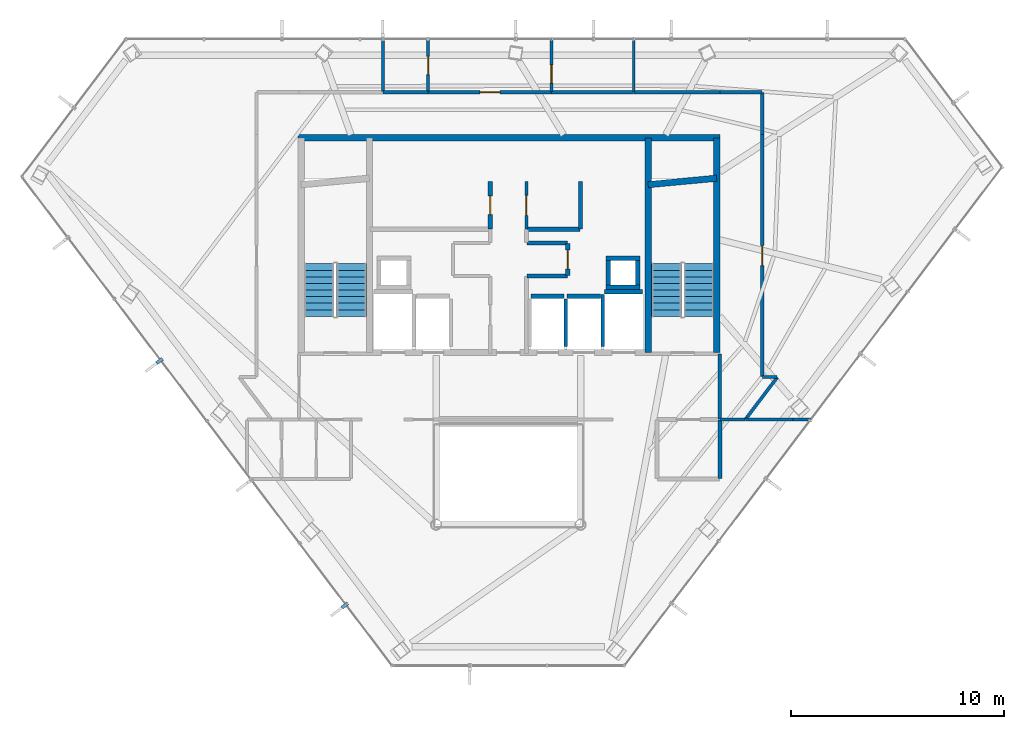
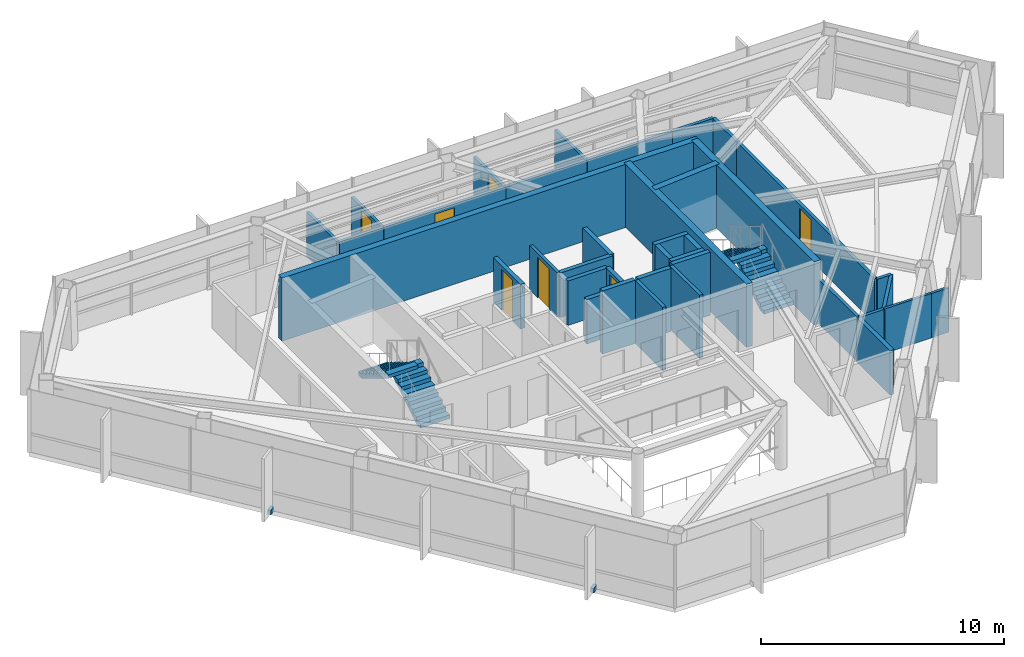
# One storey, part 23 of 25: 38 walls, 7 doors, 4 stair flights, 2 discrete accessories, 7 openings, 2 elements without a shape of their own.
"""IFC4 building model written with IfcOpenShell, lengths in metres."""

from ifc_helpers import new_model, si_unit, direction, frame, frame_2d, origin, origin_2d, place, context, subcontext, project, spatial, polyline, rectangle, outline, extrude, material, layer, layer_set, type_object, element, fill, aggregate, save


model = new_model("IFC4")

# Units and contexts
model_context = context("Model", 3, precision=1e-05, world=origin(), true_north=direction((0.0, 1.0)))
body_context = subcontext(model_context, "Body", "Model", "MODEL_VIEW")
ifc_project = project(units=[si_unit("LENGTHUNIT", "METRE"), si_unit("AREAUNIT", "SQUARE_METRE"), si_unit("VOLUMEUNIT", "CUBIC_METRE"), si_unit("PLANEANGLEUNIT", "RADIAN"), si_unit("MASSUNIT", "GRAM", prefix="KILO")], contexts=[model_context])

# Site, building, storey
site_placement = place(None, origin())
site = spatial("IfcSite", under=ifc_project, at=site_placement, CompositionType="ELEMENT")
building_placement = place(site_placement, origin())
building = spatial("IfcBuilding", under=site, at=building_placement, Name="Zarrinselat Tower", CompositionType="ELEMENT")
storey_placement = place(building_placement, frame((0.0, 0.0, 246.159912109375)))
storey = spatial("IfcBuildingStorey", under=building, at=storey_placement, Name="L62", CompositionType="ELEMENT", Elevation=246.159912109375)

# Wall
ifc_material_1 = material(Name="Concrete C40/50", Category="concrete")
ifc_layer_1 = layer(ifc_material_1, 0.18994140625)
ifc_layer_set_1 = layer_set([ifc_layer_1], Name="Concrete C40/50")
wall_type_1 = type_object("IfcWallType", Name="WAL-PART-EI120", PredefinedType="PARTITIONING", material=ifc_layer_set_1)
wall_1_placement = place(storey_placement, frame((48.35009765625, 27.3701171875, 0.0), z_axis=(0.0, 0.0, 1.0), x_axis=(0.0, 1.0, 0.0)))
element("IfcWall", 1, at=wall_1_placement, inside=storey, type_object=wall_type_1, Name="L62 Partition Wall 25", PredefinedType="PARTITIONING", context=body_context, shape_type="SweptSolid", body=[
    extrude(rectangle(XDim=2.759765625, YDim=0.18994140625, at=frame_2d((1.3798828125, 0.0))), origin(), (0.0, 0.0, 1.0), 2.235107421875),
])

# Wall, opening, door
ifc_material_2 = material(Name="Fire-Rated Gypsum Board Partition", Category="gypsum")
ifc_layer_2 = layer(ifc_material_2, 0.14990234375)
ifc_layer_set_2 = layer_set([ifc_layer_2], Name="Fire-Rated Gypsum Board Partition")
wall_type_2 = type_object("IfcWallType", Name="WAL-PART-EI60", PredefinedType="PARTITIONING", material=ifc_layer_set_2)
wall_2_placement = place(storey_placement, frame((39.25, 39.10498046875, 0.0), z_axis=(0.0, 0.0, 1.0), x_axis=(0.0, 1.0, 0.0)))
wall_2 = element("IfcWall", 2, at=wall_2_placement, inside=storey, type_object=wall_type_2, Name="L62 Partition Wall 12", PredefinedType="PARTITIONING", context=body_context, shape_type="SweptSolid", body=[
    extrude(rectangle(XDim=2.2451171875, YDim=0.14990234375, at=frame_2d((1.12255859375, 0.0))), origin(), (0.0, 0.0, 1.0), 2.235107421875),
])
opening_1_placement = place(wall_2_placement, frame((0.652587890625, 0.0, 0.0)))
opening_1 = element("IfcOpeningElement", 3, at=opening_1_placement, cuts=wall_2, Name="Opening ID-04", PredefinedType="OPENING", context=body_context, shape_type="SweptSolid", body=[
    extrude(rectangle(XDim=0.93994140625, YDim=2.050048828125, at=frame_2d((0.469970703125, 1.02490234375))), frame((0.0, 0.0849609375, 0.0), z_axis=(0.0, -1.0, 0.0), x_axis=(1.0, 0.0, 0.0)), (0.0, 0.0, 1.0), 0.169921875),
])
ifc_material_3 = material(Name="Fire-Rated Gypsum Board Partition")
door_type_1 = type_object("IfcDoorType", Name="DR-INT-FD30-ENT", OperationType="NOTDEFINED", PredefinedType="DOOR", material=ifc_material_3)
door_1_placement = place(opening_1_placement, origin())
door_1 = element("IfcDoor", 4, at=door_1_placement, inside=storey, type_object=door_type_1, Name="L62 Interior Door P12", OperationType="SINGLE_SWING_LEFT", OverallHeight=2.050048828125, OverallWidth=0.93994140625, PredefinedType="DOOR", context=body_context, shape_type="SweptSolid", body=[
    extrude(rectangle(XDim=0.93994140625, YDim=2.050048828125, at=frame_2d((0.469970703125, 1.02490234375))), frame((0.0, 0.02490234375, 0.0), z_axis=(0.0, -1.0, 0.0), x_axis=(1.0, 0.0, 0.0)), (0.0, 0.0, 1.0), 0.050048828125),
])
fill(opening_1, door_1)

# Walls
wall_3_placement = place(storey_placement, frame((48.35009765625, 30.169921875, 0.0), z_axis=(0.0, 0.0, 1.0), x_axis=(0.0, 1.0, 0.0)))
element("IfcWall", 5, at=wall_3_placement, inside=storey, type_object=wall_type_2, Name="L62 Partition Wall 18", PredefinedType="PARTITIONING", context=body_context, shape_type="SweptSolid", body=[
    extrude(rectangle(XDim=3.06005859375, YDim=0.14990234375, at=frame_2d((1.530029296875, 0.0))), origin(), (0.0, 0.0, 1.0), 2.235107421875),
])
wall_4_placement = place(storey_placement, frame((48.3701171875, 30.14990234375, 0.0), z_axis=(0.0, 0.0, 1.0), x_axis=(1.0, 0.0, 0.0)))
element("IfcWall", 6, at=wall_4_placement, inside=storey, type_object=wall_type_2, Name="L62 Partition Wall 28", PredefinedType="PARTITIONING", context=body_context, shape_type="SweptSolid", body=[
    extrude(rectangle(XDim=1.16015625, YDim=0.14990234375, at=frame_2d((0.580078125, 0.0))), origin(), (0.0, 0.0, 1.0), 2.235107421875),
])
wall_5_placement = place(storey_placement, frame((44.304931640625, 45.550048828125, 0.0), z_axis=(0.0, 0.0, 1.0), x_axis=(1.0, 0.0, 0.0)))
element("IfcWall", 7, at=wall_5_placement, inside=storey, type_object=wall_type_2, Name="L62 Partition Wall 35", PredefinedType="PARTITIONING", context=body_context, shape_type="SweptSolid", body=[
    extrude(rectangle(XDim=4.045166015625, YDim=0.14990234375, at=frame_2d((2.0224609375, 0.0))), origin(), (0.0, 0.0, 1.0), 2.235107421875),
])
for number, where, z_axis, x_axis, name in (
    (8, (48.35009765625, 45.550048828125, 0.0), (0.0, 0.0, 1.0), (1.0, 0.0, 0.0), "L62 Partition Wall 36"),
    (9, (50.35009765625, 43.550048828125, 0.0), (0.0, 0.0, 1.0), (0.0, 1.0, 0.0), "L62 Partition Wall 37"),
):
    element("IfcWall", number, at=place(storey_placement, frame(where, z_axis=z_axis, x_axis=x_axis)), inside=storey, type_object=wall_type_2, Name=name, PredefinedType="PARTITIONING", context=body_context, shape_type="SweptSolid", body=[
        extrude(rectangle(XDim=1.97998046875, YDim=0.14990234375, at=frame_2d((0.989990234375, 0.0))), origin(), (0.0, 0.0, 1.0), 2.235107421875),
    ])

# Wall, opening, door
wall_6_placement = place(storey_placement, frame((50.35009765625, 32.169921875, 0.0), z_axis=(0.0, 0.0, 1.0), x_axis=(0.0, 1.0, 0.0)))
wall_6 = element("IfcWall", 10, at=wall_6_placement, inside=storey, type_object=wall_type_2, Name="L62 Partition Wall 38", PredefinedType="PARTITIONING", context=body_context, shape_type="SweptSolid", body=[
    extrude(rectangle(XDim=11.380126953125, YDim=0.14990234375, at=frame_2d((5.68994140625, 0.0))), origin(), (0.0, 0.0, 1.0), 2.235107421875),
])
opening_2_placement = place(wall_6_placement, frame((5.219970703125, 0.0, 0.0)))
opening_2 = element("IfcOpeningElement", 11, at=opening_2_placement, cuts=wall_6, Name="Opening ID-04", PredefinedType="OPENING", context=body_context, shape_type="SweptSolid", body=[
    extrude(rectangle(XDim=0.93994140625, YDim=2.050048828125, at=frame_2d((0.469970703125, 1.02490234375))), frame((0.0, 0.0849609375, 0.0), z_axis=(0.0, -1.0, 0.0), x_axis=(1.0, 0.0, 0.0)), (0.0, 0.0, 1.0), 0.169921875),
])
door_2_placement = place(opening_2_placement, origin())
door_2 = element("IfcDoor", 12, at=door_2_placement, inside=storey, type_object=door_type_1, Name="L62 Interior Door P38", OperationType="SINGLE_SWING_LEFT", OverallHeight=2.050048828125, OverallWidth=0.93994140625, PredefinedType="DOOR", context=body_context, shape_type="SweptSolid", body=[
    extrude(rectangle(XDim=0.93994140625, YDim=2.050048828125, at=frame_2d((0.469970703125, 1.02490234375))), frame((0.0, 0.02490234375, 0.0), z_axis=(0.0, -1.0, 0.0), x_axis=(1.0, 0.0, 0.0)), (0.0, 0.0, 1.0), 0.050048828125),
])
fill(opening_2, door_2)

# Walls
wall_7_placement = place(storey_placement, frame((50.3701171875, 32.14990234375, 0.0), z_axis=(0.0, 0.0, 1.0), x_axis=(1.0, 0.0, 0.0)))
element("IfcWall", 13, at=wall_7_placement, inside=storey, type_object=wall_type_2, Name="L62 Partition Wall 39", PredefinedType="PARTITIONING", context=body_context, shape_type="SweptSolid", body=[
    extrude(rectangle(XDim=0.67529296875, YDim=0.14990234375, at=frame_2d((0.337646484375, 0.0))), origin(), (0.0, 0.0, 1.0), 2.235107421875),
])
wall_8_placement = place(storey_placement, frame((49.5625, 30.166015625, 0.0), z_axis=(0.0, 0.0, 1.0), x_axis=(0.603806281462, 0.797131089889, 0.0)))
element("IfcWall", 14, at=wall_8_placement, inside=storey, type_object=wall_type_2, Name="L62 Partition Wall 40", PredefinedType="PARTITIONING", context=body_context, shape_type="SweptSolid", body=[
    extrude(rectangle(XDim=2.468994140625, YDim=0.14990234375, at=frame_2d((1.234375, 0.0))), origin(), (0.0, 0.0, 1.0), 2.235107421875),
])

# Wall, opening, door
wall_9_placement = place(storey_placement, frame((34.62890625, 45.550048828125, 0.0), z_axis=(0.0, 0.0, 1.0), x_axis=(1.0, 0.0, 0.0)))
wall_9 = element("IfcWall", 15, at=wall_9_placement, inside=storey, type_object=wall_type_2, Name="L62 Partition Wall 41", PredefinedType="PARTITIONING", context=body_context, shape_type="SweptSolid", body=[
    extrude(rectangle(XDim=5.795654296875, YDim=0.14990234375, at=frame_2d((2.89794921875, 0.0))), origin(), (0.0, 0.0, 1.0), 2.235107421875),
])
opening_3_placement = place(wall_9_placement, frame((2.427734375, 0.0, 0.0)))
opening_3 = element("IfcOpeningElement", 16, at=opening_3_placement, cuts=wall_9, Name="Opening ID-04", PredefinedType="OPENING", context=body_context, shape_type="SweptSolid", body=[
    extrude(rectangle(XDim=0.93994140625, YDim=2.050048828125, at=frame_2d((0.469970703125, 1.02490234375))), frame((0.0, 0.0849609375, 0.0), z_axis=(0.0, -1.0, 0.0), x_axis=(1.0, 0.0, 0.0)), (0.0, 0.0, 1.0), 0.169921875),
])
door_3_placement = place(opening_3_placement, origin())
door_3 = element("IfcDoor", 17, at=door_3_placement, inside=storey, type_object=door_type_1, Name="L62 Interior Door P41", OperationType="SINGLE_SWING_RIGHT", OverallHeight=2.050048828125, OverallWidth=0.93994140625, PredefinedType="DOOR", context=body_context, shape_type="SweptSolid", body=[
    extrude(rectangle(XDim=0.93994140625, YDim=2.050048828125, at=frame_2d((0.469970703125, 1.02490234375))), frame((0.0, 0.02490234375, 0.0), z_axis=(0.0, -1.0, 0.0), x_axis=(1.0, 0.0, 0.0)), (0.0, 0.0, 1.0), 0.050048828125),
])
fill(opening_3, door_3)

# Walls
wall_10_placement = place(storey_placement, frame((40.4345703125, 45.550048828125, 0.0), z_axis=(0.0, 0.0, 1.0), x_axis=(1.0, 0.0, 0.0)))
element("IfcWall", 18, at=wall_10_placement, inside=storey, type_object=wall_type_2, Name="L62 Partition Wall 42", PredefinedType="PARTITIONING", context=body_context, shape_type="SweptSolid", body=[
    extrude(rectangle(XDim=3.8603515625, YDim=0.14990234375, at=frame_2d((1.93017578125, 0.0))), origin(), (0.0, 0.0, 1.0), 2.235107421875),
])
wall_11_placement = place(storey_placement, frame((32.5048828125, 45.550048828125, 0.0), z_axis=(0.0, 0.0, 1.0), x_axis=(1.0, 0.0, 0.0)))
element("IfcWall", 19, at=wall_11_placement, inside=storey, type_object=wall_type_2, Name="L62 Partition Wall 43", PredefinedType="PARTITIONING", context=body_context, shape_type="SweptSolid", body=[
    extrude(rectangle(XDim=2.114013671875, YDim=0.14990234375, at=frame_2d((1.05712890625, 0.0))), origin(), (0.0, 0.0, 1.0), 2.235107421875),
])

# Wall, opening, door
ifc_material_4 = material(Name="Concrete C40/50", Category="concrete")
ifc_layer_3 = layer(ifc_material_4, 0.199951171875)
ifc_layer_set_3 = layer_set([ifc_layer_3], Name="Concrete C40/50")
wall_type_3 = type_object("IfcWallType", Name="WAL-PART-PLANT", PredefinedType="PARTITIONING", material=ifc_layer_set_3)
wall_12_placement = place(storey_placement, frame((37.550048828125, 39.10498046875, 0.0), z_axis=(0.0, 0.0, 1.0), x_axis=(0.0, 1.0, 0.0)))
wall_12 = element("IfcWall", 20, at=wall_12_placement, inside=storey, type_object=wall_type_3, Name="L62 Partition Wall 6", PredefinedType="PARTITIONING", context=body_context, shape_type="SweptSolid", body=[
    extrude(rectangle(XDim=2.2451171875, YDim=0.199951171875, at=frame_2d((1.12255859375, 0.0))), origin(), (0.0, 0.0, 1.0), 2.235107421875),
])
opening_4_placement = place(wall_12_placement, frame((0.6826171875, 0.0, 0.0)))
opening_4 = element("IfcOpeningElement", 21, at=opening_4_placement, cuts=wall_12, Name="Opening ID-03", PredefinedType="OPENING", context=body_context, shape_type="SweptSolid", body=[
    extrude(rectangle(XDim=0.8798828125, YDim=2.050048828125, at=frame_2d((0.43994140625, 1.02490234375))), frame((0.0, 0.10986328125, 0.0), z_axis=(0.0, -1.0, 0.0), x_axis=(1.0, 0.0, 0.0)), (0.0, 0.0, 1.0), 0.219970703125),
])
ifc_material_5 = material(Name="Steel S355J2", Category="steel")
door_type_2 = type_object("IfcDoorType", Name="DR-INT-FD60-S", OperationType="NOTDEFINED", PredefinedType="DOOR", material=ifc_material_5)
door_4_placement = place(opening_4_placement, origin())
door_4 = element("IfcDoor", 22, at=door_4_placement, inside=storey, type_object=door_type_2, Name="L62 Interior Door P6", OperationType="SINGLE_SWING_LEFT", OverallHeight=2.050048828125, OverallWidth=0.8798828125, PredefinedType="DOOR", context=body_context, shape_type="SweptSolid", body=[
    extrude(rectangle(XDim=0.8798828125, YDim=2.050048828125, at=frame_2d((0.43994140625, 1.02490234375))), frame((0.0, 0.02490234375, 0.0), z_axis=(0.0, -1.0, 0.0), x_axis=(1.0, 0.0, 0.0)), (0.0, 0.0, 1.0), 0.050048828125),
])
fill(opening_4, door_4)

# Wall
wall_13_placement = place(storey_placement, frame((39.27001953125, 38.449951171875, 0.0), z_axis=(0.0, 0.0, 1.0), x_axis=(1.0, 0.0, 0.0)))
element("IfcWall", 23, at=wall_13_placement, inside=storey, type_object=wall_type_3, Name="L62 Partition Wall 8", PredefinedType="PARTITIONING", context=body_context, shape_type="SweptSolid", body=[
    extrude(rectangle(XDim=1.909912109375, YDim=0.199951171875, at=frame_2d((0.955078125, 0.0))), origin(), (0.0, 0.0, 1.0), 2.235107421875),
])

# Wall, opening, door
wall_14_placement = place(storey_placement, frame((41.199951171875, 36.919921875, 0.0), z_axis=(0.0, 0.0, 1.0), x_axis=(0.0, 1.0, 0.0)))
wall_14 = element("IfcWall", 24, at=wall_14_placement, inside=storey, type_object=wall_type_3, Name="L62 Partition Wall 9", PredefinedType="PARTITIONING", context=body_context, shape_type="SweptSolid", body=[
    extrude(rectangle(XDim=1.510009765625, YDim=0.199951171875, at=frame_2d((0.7548828125, 0.0))), origin(), (0.0, 0.0, 1.0), 2.235107421875),
])
opening_5_placement = place(wall_14_placement, frame((0.31494140625, 0.0, 0.0)))
opening_5 = element("IfcOpeningElement", 25, at=opening_5_placement, cuts=wall_14, Name="Opening ID-03", PredefinedType="OPENING", context=body_context, shape_type="SweptSolid", body=[
    extrude(rectangle(XDim=0.8798828125, YDim=2.050048828125, at=frame_2d((0.43994140625, 1.02490234375))), frame((0.0, 0.10986328125, 0.0), z_axis=(0.0, -1.0, 0.0), x_axis=(1.0, 0.0, 0.0)), (0.0, 0.0, 1.0), 0.219970703125),
])
door_5_placement = place(opening_5_placement, origin())
door_5 = element("IfcDoor", 26, at=door_5_placement, inside=storey, type_object=door_type_2, Name="L62 Interior Door P9", OperationType="SINGLE_SWING_RIGHT", OverallHeight=2.050048828125, OverallWidth=0.8798828125, PredefinedType="DOOR", context=body_context, shape_type="SweptSolid", body=[
    extrude(rectangle(XDim=0.8798828125, YDim=2.050048828125, at=frame_2d((0.43994140625, 1.02490234375))), frame((0.0, 0.02490234375, 0.0), z_axis=(0.0, -1.0, 0.0), x_axis=(1.0, 0.0, 0.0)), (0.0, 0.0, 1.0), 0.050048828125),
])
fill(opening_5, door_5)

# Walls
wall_15_placement = place(storey_placement, frame((39.27001953125, 36.89990234375, 0.0), z_axis=(0.0, 0.0, 1.0), x_axis=(1.0, 0.0, 0.0)))
element("IfcWall", 27, at=wall_15_placement, inside=storey, type_object=wall_type_3, Name="L62 Partition Wall 10", PredefinedType="PARTITIONING", context=body_context, shape_type="SweptSolid", body=[
    extrude(rectangle(XDim=1.909912109375, YDim=0.199951171875, at=frame_2d((0.955078125, 0.0))), origin(), (0.0, 0.0, 1.0), 2.235107421875),
])
wall_16_placement = place(storey_placement, frame((39.27001953125, 39.10009765625, 0.0), z_axis=(0.0, 0.0, 1.0), x_axis=(1.0, 0.0, 0.0)))
element("IfcWall", 28, at=wall_16_placement, inside=storey, type_object=wall_type_3, Name="L62 Partition Wall 14", PredefinedType="PARTITIONING", context=body_context, shape_type="SweptSolid", body=[
    extrude(rectangle(XDim=2.510009765625, YDim=0.199951171875, at=frame_2d((1.2548828125, 0.0))), origin(), (0.0, 0.0, 1.0), 2.235107421875),
])
wall_17_placement = place(storey_placement, frame((41.800048828125, 39.1201171875, 0.0), z_axis=(0.0, 0.0, 1.0), x_axis=(0.0, 1.0, 0.0)))
element("IfcWall", 29, at=wall_17_placement, inside=storey, type_object=wall_type_3, Name="L62 Partition Wall 15", PredefinedType="PARTITIONING", context=body_context, shape_type="SweptSolid", body=[
    extrude(rectangle(XDim=2.22998046875, YDim=0.199951171875, at=frame_2d((1.114990234375, 0.0))), origin(), (0.0, 0.0, 1.0), 2.235107421875),
])
ifc_material_6 = material(Name="Fire-Rated Gypsum Board Partition", Category="gypsum")
ifc_layer_4 = layer(ifc_material_6, 0.1201171875)
ifc_layer_set_4 = layer_set([ifc_layer_4], Name="Fire-Rated Gypsum Board Partition")
wall_type_4 = type_object("IfcWallType", Name="WAL-PART-STD", PredefinedType="PARTITIONING", material=ifc_layer_set_4)
wall_18_placement = place(storey_placement, frame((49.5703125, 30.14990234375, 0.0), z_axis=(0.0, 0.0, 1.0), x_axis=(1.0, 0.0, 0.0)))
element("IfcWall", 30, at=wall_18_placement, inside=storey, type_object=wall_type_4, Name="L62 Partition Wall 52", PredefinedType="PARTITIONING", context=body_context, shape_type="SweptSolid", body=[
    extrude(rectangle(XDim=2.229736328125, YDim=0.1201171875, at=frame_2d((1.11474609375, 0.0))), origin(), (0.0, 0.0, 1.0), 2.235107421875),
])
wall_19_placement = place(storey_placement, frame((51.800048828125, 30.14990234375, 0.0), z_axis=(0.0, 0.0, 1.0), x_axis=(1.0, 0.0, 0.0)))
element("IfcWall", 31, at=wall_19_placement, inside=storey, type_object=wall_type_4, Name="L62 Partition Wall 53", PredefinedType="PARTITIONING", context=body_context, shape_type="SweptSolid", body=[
    extrude(rectangle(XDim=0.821533203125, YDim=0.1201171875, at=frame_2d((0.41064453125, 0.0))), origin(), (0.0, 0.0, 1.0), 2.235107421875),
])
ifc_material_7 = material(Name="Fire-Rated Gypsum Board Partition", Category="gypsum")
ifc_layer_5 = layer(ifc_material_7, 0.135009765625)
ifc_layer_set_5 = layer_set([ifc_layer_5], Name="Fire-Rated Gypsum Board Partition")
wall_type_5 = type_object("IfcWallType", Name="WAL-PART-WET", PredefinedType="PARTITIONING", material=ifc_layer_set_5)
for number, where, z_axis, x_axis, name in (
    (32, (32.5, 45.570068359375, 0.0), (0.0, 0.0, 1.0), (0.0, 1.0, 0.0), "L62 Partition Wall 54"),
    (33, (44.300048828125, 45.570068359375, 0.0), (0.0, 0.0, 1.0), (0.0, 1.0, 0.0), "L62 Partition Wall 55"),
):
    element("IfcWall", number, at=place(storey_placement, frame(where, z_axis=z_axis, x_axis=x_axis)), inside=storey, type_object=wall_type_5, Name=name, PredefinedType="PARTITIONING", context=body_context, shape_type="SweptSolid", body=[
        extrude(rectangle(XDim=2.47607421875, YDim=0.135009765625, at=frame_2d((1.238037109375, 0.0))), origin(), (0.0, 0.0, 1.0), 2.235107421875),
    ])

# Wall, opening, door
wall_20_placement = place(storey_placement, frame((40.4296875, 45.570068359375, 0.0), z_axis=(0.0, 0.0, 1.0), x_axis=(0.0, 1.0, 0.0)))
wall_20 = element("IfcWall", 34, at=wall_20_placement, inside=storey, type_object=wall_type_5, Name="L62 Partition Wall 56", PredefinedType="PARTITIONING", context=body_context, shape_type="SweptSolid", body=[
    extrude(rectangle(XDim=2.47607421875, YDim=0.135009765625, at=frame_2d((1.238037109375, 0.0))), origin(), (0.0, 0.0, 1.0), 2.235107421875),
])
opening_6_placement = place(wall_20_placement, frame((0.408203125, 0.0, 0.0)))
opening_6 = element("IfcOpeningElement", 35, at=opening_6_placement, cuts=wall_20, Name="Opening ID-06", PredefinedType="OPENING", context=body_context, shape_type="SweptSolid", body=[
    extrude(rectangle(XDim=0.860107421875, YDim=2.050048828125, at=frame_2d((0.43017578125, 1.02490234375))), frame((0.0, 0.077392578125, 0.0), z_axis=(0.0, -1.0, 0.0), x_axis=(1.0, 0.0, 0.0)), (0.0, 0.0, 1.0), 0.155029296875),
])
ifc_material_8 = material(Name="Extruded Aluminium Alloy EN AW-6063 T6", Category="aluminium")
door_type_3 = type_object("IfcDoorType", Name="DR-INT-WET-900", OperationType="NOTDEFINED", PredefinedType="DOOR", material=ifc_material_8)
door_6_placement = place(opening_6_placement, origin())
door_6 = element("IfcDoor", 36, at=door_6_placement, inside=storey, type_object=door_type_3, Name="L62 Interior Door P56", OperationType="SINGLE_SWING_LEFT", OverallHeight=2.050048828125, OverallWidth=0.860107421875, PredefinedType="DOOR", context=body_context, shape_type="SweptSolid", body=[
    extrude(rectangle(XDim=0.860107421875, YDim=2.050048828125, at=frame_2d((0.43017578125, 1.02490234375))), frame((0.0, 0.02490234375, 0.0), z_axis=(0.0, -1.0, 0.0), x_axis=(1.0, 0.0, 0.0)), (0.0, 0.0, 1.0), 0.050048828125),
])
fill(opening_6, door_6)

wall_21_placement = place(storey_placement, frame((34.6240234375, 45.570068359375, 0.0), z_axis=(0.0, 0.0, 1.0), x_axis=(0.0, 1.0, 0.0)))
wall_21 = element("IfcWall", 37, at=wall_21_placement, inside=storey, type_object=wall_type_5, Name="L62 Partition Wall 57", PredefinedType="PARTITIONING", context=body_context, shape_type="SweptSolid", body=[
    extrude(rectangle(XDim=2.47607421875, YDim=0.135009765625, at=frame_2d((1.238037109375, 0.0))), origin(), (0.0, 0.0, 1.0), 2.235107421875),
])
opening_7_placement = place(wall_21_placement, frame((0.80810546875, 0.0, 0.0)))
opening_7 = element("IfcOpeningElement", 38, at=opening_7_placement, cuts=wall_21, Name="Opening ID-06", PredefinedType="OPENING", context=body_context, shape_type="SweptSolid", body=[
    extrude(rectangle(XDim=0.860107421875, YDim=2.050048828125, at=frame_2d((0.43017578125, 1.02490234375))), frame((0.0, 0.077392578125, 0.0), z_axis=(0.0, -1.0, 0.0), x_axis=(1.0, 0.0, 0.0)), (0.0, 0.0, 1.0), 0.155029296875),
])
door_7_placement = place(opening_7_placement, origin())
door_7 = element("IfcDoor", 39, at=door_7_placement, inside=storey, type_object=door_type_3, Name="L62 Interior Door P57", OperationType="SINGLE_SWING_RIGHT", OverallHeight=2.050048828125, OverallWidth=0.860107421875, PredefinedType="DOOR", context=body_context, shape_type="SweptSolid", body=[
    extrude(rectangle(XDim=0.860107421875, YDim=2.050048828125, at=frame_2d((0.43017578125, 1.02490234375))), frame((0.0, 0.02490234375, 0.0), z_axis=(0.0, -1.0, 0.0), x_axis=(1.0, 0.0, 0.0)), (0.0, 0.0, 1.0), 0.050048828125),
])
fill(opening_7, door_7)

# Walls
ifc_material_9 = material(Name="Concrete C40/50", Category="concrete")
ifc_layer_6 = layer(ifc_material_9, 0.2099609375)
ifc_layer_set_6 = layer_set([ifc_layer_6], Name="Concrete C40/50")
wall_type_6 = type_object("IfcWallType", Name="WAL-SHAFT-210", PredefinedType="SOLIDWALL", material=ifc_layer_set_6)
wall_22_placement = place(storey_placement, frame((42.919921875, 36.155029296875, 0.0), z_axis=(0.0, 0.0, 1.0), x_axis=(1.0, 0.0, 0.0)))
element("IfcWall", 40, at=wall_22_placement, inside=storey, type_object=wall_type_6, Name="L62 Lift FFL2 North Shaft Wall", PredefinedType="SOLIDWALL", context=body_context, shape_type="SweptSolid", body=[
    extrude(rectangle(XDim=1.800048828125, YDim=0.2099609375, at=frame_2d((0.89990234375, 0.0))), origin(), (0.0, 0.0, 1.0), 3.18017578125),
])
wall_23_placement = place(storey_placement, frame((42.85009765625, 33.580078125, 0.0), z_axis=(0.0, 0.0, 1.0), x_axis=(0.0, 1.0, 0.0)))
element("IfcWall", 41, at=wall_23_placement, inside=storey, type_object=wall_type_6, Name="L62 Lift FFL2 W Shaft Wall", PredefinedType="SOLIDWALL", context=body_context, shape_type="SweptSolid", body=[
    extrude(rectangle(XDim=2.449951171875, YDim=0.159912109375, at=frame_2d((1.22509765625, 0.0))), origin(), (0.0, 0.0, 1.0), 3.18017578125),
])
wall_24_placement = place(storey_placement, frame((39.469970703125, 35.955078125, 0.0), z_axis=(0.0, 0.0, 1.0), x_axis=(1.0, 0.0, 0.0)))
element("IfcWall", 42, at=wall_24_placement, inside=storey, type_object=wall_type_6, Name="L62 Lift PL8 North Shaft Wall", PredefinedType="SOLIDWALL", context=body_context, shape_type="SweptSolid", body=[
    extrude(rectangle(XDim=1.56005859375, YDim=0.2099609375, at=frame_2d((0.780029296875, 0.0))), origin(), (0.0, 0.0, 1.0), 3.18017578125),
])
wall_25_placement = place(storey_placement, frame((41.10009765625, 33.580078125, 0.0), z_axis=(0.0, 0.0, 1.0), x_axis=(0.0, 1.0, 0.0)))
element("IfcWall", 43, at=wall_25_placement, inside=storey, type_object=wall_type_6, Name="L62 Lift PL8 E Shaft Wall", PredefinedType="SOLIDWALL", context=body_context, shape_type="SweptSolid", body=[
    extrude(rectangle(XDim=2.25, YDim=0.159912109375, at=frame_2d((1.125, 0.0))), origin(), (0.0, 0.0, 1.0), 3.18017578125),
])
wall_26_placement = place(storey_placement, frame((41.169921875, 35.955078125, 0.0), z_axis=(0.0, 0.0, 1.0), x_axis=(1.0, 0.0, 0.0)))
element("IfcWall", 44, at=wall_26_placement, inside=storey, type_object=wall_type_6, Name="L62 Lift PL9 North Shaft Wall", PredefinedType="SOLIDWALL", context=body_context, shape_type="SweptSolid", body=[
    extrude(rectangle(XDim=1.56005859375, YDim=0.2099609375, at=frame_2d((0.780029296875, 0.0))), origin(), (0.0, 0.0, 1.0), 3.18017578125),
])
for number, where, z_axis, x_axis, name in (
    (45, (42.989990234375, 36.375, 0.0), (0.0, 0.0, 1.0), (1.0, 0.0, 0.0), "L62 Core Riser RSR-E S Shaft Wall"),
    (46, (42.989990234375, 37.7451171875, 0.0), (0.0, 0.0, 1.0), (1.0, 0.0, 0.0), "L62 Core Riser RSR-E N Shaft Wall"),
):
    element("IfcWall", number, at=place(storey_placement, frame(where, z_axis=z_axis, x_axis=x_axis)), inside=storey, type_object=wall_type_6, Name=name, PredefinedType="SOLIDWALL", context=body_context, shape_type="SweptSolid", body=[
        extrude(rectangle(XDim=1.60009765625, YDim=0.2099609375, at=frame_2d((0.800048828125, 0.0))), origin(), (0.0, 0.0, 1.0), 3.18017578125),
    ])
for number, where, z_axis, x_axis, name in (
    (47, (43.094970703125, 36.485107421875, 0.0), (0.0, 0.0, 1.0), (0.0, 1.0, 0.0), "L62 Core Riser RSR-E W Shaft Wall"),
    (48, (44.485107421875, 36.485107421875, 0.0), (0.0, 0.0, 1.0), (0.0, 1.0, 0.0), "L62 Core Riser RSR-E E Shaft Wall"),
):
    element("IfcWall", number, at=place(storey_placement, frame(where, z_axis=z_axis, x_axis=x_axis)), inside=storey, type_object=wall_type_6, Name=name, PredefinedType="SOLIDWALL", context=body_context, shape_type="SweptSolid", body=[
        extrude(rectangle(XDim=1.14990234375, YDim=0.2099609375, at=frame_2d((0.574951171875, 0.0))), origin(), (0.0, 0.0, 1.0), 3.18017578125),
    ])
ifc_material_10 = material(Name="Concrete C40/50", Category="concrete")
ifc_layer_7 = layer(ifc_material_10, 0.300048828125)
ifc_layer_set_7 = layer_set([ifc_layer_7], Name="Concrete C40/50")
wall_type_7 = type_object("IfcWallType", Name="WAL-SHEAR-300", PredefinedType="SHEAR", material=ifc_layer_set_7)
wall_27_placement = place(storey_placement, frame((28.5, 43.39990234375, 0.0), z_axis=(0.0, 0.0, 1.0), x_axis=(1.0, 0.0, 0.0)))
element("IfcWall", 49, at=wall_27_placement, inside=storey, type_object=wall_type_7, Name="L62 North Core Shear Wall", PredefinedType="SHEAR", context=body_context, shape_type="SweptSolid", body=[
    extrude(rectangle(XDim=19.860107421875, YDim=0.300048828125, at=frame_2d((9.93017578125, 0.0))), origin(), (0.0, 0.0, 1.0), 3.18017578125),
])
for number, where, z_axis, x_axis, name in (
    (50, (44.989990234375, 33.300048828125, 0.0), (0.0, 0.0, 1.0), (0.0, 1.0, 0.0), "L62 Core Shear Wall ST2W"),
    (51, (48.2099609375, 33.300048828125, 0.0), (0.0, 0.0, 1.0), (0.0, 1.0, 0.0), "L62 Core Shear Wall E"),
):
    element("IfcWall", number, at=place(storey_placement, frame(where, z_axis=z_axis, x_axis=x_axis)), inside=storey, type_object=wall_type_7, Name=name, PredefinedType="SHEAR", context=body_context, shape_type="SweptSolid", body=[
        extrude(rectangle(XDim=10.099853515625, YDim=0.300048828125, at=frame_2d((5.0498046875, 0.0))), origin(), (0.0, 0.0, 1.0), 3.18017578125),
    ])
wall_28_placement = place(storey_placement, frame((44.97998046875, 41.199951171875, 0.0), z_axis=(0.0, 0.0, 1.0), x_axis=(0.995686468965, 0.09278176286, 0.0)))
element("IfcWall", 52, at=wall_28_placement, inside=storey, type_object=wall_type_7, Name="L62 Stair 2 North Shaft Wall", PredefinedType="SHEAR", context=body_context, shape_type="SweptSolid", body=[
    extrude(rectangle(XDim=3.23388671875, YDim=0.300048828125, at=frame_2d((1.616943359375, 0.0))), origin(), (0.0, 0.0, 1.0), 3.18017578125),
])

# Stair, stair flights
ifc_material_11 = material(Name="Concrete C40/50", Category="concrete")
stair_type = type_object("IfcStairType", Name="STR-CORE-155", PredefinedType="HALF_TURN_STAIR", material=ifc_material_11)
stair_1_placement = place(storey_placement, origin())
stair_1 = element("IfcStair", 53, at=stair_1_placement, inside=storey, type_object=stair_type, Name="L62 Core Exit Stair 1", PredefinedType="HALF_TURN_STAIR")
ifc_material_12 = material(Name="Concrete C40/50", Category="concrete")
stair_flight_type = type_object("IfcStairFlightType", Name="STR-FLT-155", PredefinedType="STRAIGHT", material=ifc_material_12)
stair_flight_1_placement = place(storey_placement, frame((31.02001953125, 35.0, 0.0), z_axis=(0.0, 0.0, 1.0), x_axis=(0.0, 1.0, 0.0)))
stair_flight_1 = element("IfcStairFlight", 54, at=stair_flight_1_placement, type_object=stair_flight_type, Name="ST-1 flight 1", NumberOfRisers=9, NumberOfTreads=8, PredefinedType="STRAIGHT", RiserHeight=0.188888889, TreadLength=0.31, context=body_context, shape_type="SweptSolid", body=[
    extrude(outline(polyline([(0.0, 0.0), (0.0, 0.18896484375), (0.31005859375, 0.18896484375), (0.31005859375, 0.377685546875), (0.6201171875, 0.377685546875), (0.6201171875, 0.566650390625), (0.929931640625, 0.566650390625), (0.929931640625, 0.755615234375), (1.239990234375, 0.755615234375), (1.239990234375, 0.9443359375), (1.550048828125, 0.9443359375), (1.550048828125, 1.13330078125), (1.860107421875, 1.13330078125), (1.860107421875, 1.322265625), (2.169921875, 1.322265625), (2.169921875, 1.51123046875), (2.47998046875, 1.51123046875), (2.47998046875, 1.699951171875), (2.47998046875, 1.335693359375), (0.2880859375, 0.0), (0.0, 0.0)])), frame((0.0, 0.699951171875, 0.0), z_axis=(0.0, -1.0, 0.0), x_axis=(1.0, 0.0, 0.0)), (0.0, 0.0, 1.0), 1.39990234375),
])
stair_flight_2_placement = place(storey_placement, frame((29.5, 37.47998046875, 1.7001953125), z_axis=(0.0, 0.0, 1.0), x_axis=(0.0, -1.0, 0.0)))
stair_flight_2 = element("IfcStairFlight", 55, at=stair_flight_2_placement, type_object=stair_flight_type, Name="ST-1 flight 2", NumberOfRisers=9, NumberOfTreads=8, PredefinedType="STRAIGHT", RiserHeight=0.188888889, TreadLength=0.31, context=body_context, shape_type="SweptSolid", body=[
    extrude(outline(polyline([(0.0, 0.0), (0.0, 0.18896484375), (0.31005859375, 0.18896484375), (0.31005859375, 0.377685546875), (0.6201171875, 0.377685546875), (0.6201171875, 0.566650390625), (0.929931640625, 0.566650390625), (0.929931640625, 0.755615234375), (1.239990234375, 0.755615234375), (1.239990234375, 0.9443359375), (1.550048828125, 0.9443359375), (1.550048828125, 1.13330078125), (1.860107421875, 1.13330078125), (1.860107421875, 1.322265625), (2.169921875, 1.322265625), (2.169921875, 1.51123046875), (2.47998046875, 1.51123046875), (2.47998046875, 1.699951171875), (2.47998046875, 1.335693359375), (0.2880859375, 0.0), (0.0, 0.0)])), frame((0.0, 0.699951171875, 0.0), z_axis=(0.0, -1.0, 0.0), x_axis=(1.0, 0.0, 0.0)), (0.0, 0.0, 1.0), 1.39990234375),
])
aggregate(stair_1, [stair_flight_1, stair_flight_2])

stair_2_placement = place(storey_placement, origin())
stair_2 = element("IfcStair", 56, at=stair_2_placement, inside=storey, type_object=stair_type, Name="L62 Core Exit Stair 2", PredefinedType="HALF_TURN_STAIR")
stair_flight_3_placement = place(storey_placement, frame((47.360107421875, 35.0, 0.0), z_axis=(0.0, 0.0, 1.0), x_axis=(0.0, 1.0, 0.0)))
stair_flight_3 = element("IfcStairFlight", 57, at=stair_flight_3_placement, type_object=stair_flight_type, Name="ST-2 flight 1", NumberOfRisers=9, NumberOfTreads=8, PredefinedType="STRAIGHT", RiserHeight=0.188888889, TreadLength=0.31, context=body_context, shape_type="SweptSolid", body=[
    extrude(outline(polyline([(0.0, 0.0), (0.0, 0.18896484375), (0.31005859375, 0.18896484375), (0.31005859375, 0.377685546875), (0.6201171875, 0.377685546875), (0.6201171875, 0.566650390625), (0.929931640625, 0.566650390625), (0.929931640625, 0.755615234375), (1.239990234375, 0.755615234375), (1.239990234375, 0.9443359375), (1.550048828125, 0.9443359375), (1.550048828125, 1.13330078125), (1.860107421875, 1.13330078125), (1.860107421875, 1.322265625), (2.169921875, 1.322265625), (2.169921875, 1.51123046875), (2.47998046875, 1.51123046875), (2.47998046875, 1.699951171875), (2.47998046875, 1.335693359375), (0.2880859375, 0.0), (0.0, 0.0)])), frame((0.0, 0.699951171875, 0.0), z_axis=(0.0, -1.0, 0.0), x_axis=(1.0, 0.0, 0.0)), (0.0, 0.0, 1.0), 1.39990234375),
])
stair_flight_4_placement = place(storey_placement, frame((45.840087890625, 37.47998046875, 1.7001953125), z_axis=(0.0, 0.0, 1.0), x_axis=(0.0, -1.0, 0.0)))
stair_flight_4 = element("IfcStairFlight", 58, at=stair_flight_4_placement, type_object=stair_flight_type, Name="ST-2 flight 2", NumberOfRisers=9, NumberOfTreads=8, PredefinedType="STRAIGHT", RiserHeight=0.188888889, TreadLength=0.31, context=body_context, shape_type="SweptSolid", body=[
    extrude(outline(polyline([(0.0, 0.0), (0.0, 0.18896484375), (0.31005859375, 0.18896484375), (0.31005859375, 0.377685546875), (0.6201171875, 0.377685546875), (0.6201171875, 0.566650390625), (0.929931640625, 0.566650390625), (0.929931640625, 0.755615234375), (1.239990234375, 0.755615234375), (1.239990234375, 0.9443359375), (1.550048828125, 0.9443359375), (1.550048828125, 1.13330078125), (1.860107421875, 1.13330078125), (1.860107421875, 1.322265625), (2.169921875, 1.322265625), (2.169921875, 1.51123046875), (2.47998046875, 1.51123046875), (2.47998046875, 1.699951171875), (2.47998046875, 1.335693359375), (0.2880859375, 0.0), (0.0, 0.0)])), frame((0.0, 0.699951171875, 0.0), z_axis=(0.0, -1.0, 0.0), x_axis=(1.0, 0.0, 0.0)), (0.0, 0.0, 1.0), 1.39990234375),
])
aggregate(stair_2, [stair_flight_3, stair_flight_4])

# Discrete accessories
ifc_material_13 = material(Name="Steel S355J2", Category="steel")
discrete_accessory_type = type_object("IfcDiscreteAccessoryType", Name="ACC-FIN-BRACKET", PredefinedType="BRACKET", material=ifc_material_13)
for number, where, z_axis, x_axis, name in (
    (59, (21.98974609375, 32.903564453125, -0.0498046875), (0.0, 0.0, 1.0), (-0.797091996588, -0.603857888062, 0.0), "L62 Fin Fixing Bracket CW-L62-E03-03"),
    (60, (30.706787109375, 21.39697265625, -0.0498046875), (0.0, 0.0, 1.0), (-0.797091996588, -0.603857888062, 0.0), "L62 Fin Fixing Bracket CW-L62-E03-07"),
):
    element("IfcDiscreteAccessory", number, at=place(storey_placement, frame(where, z_axis=z_axis, x_axis=x_axis)), inside=storey, type_object=discrete_accessory_type, Name=name, PredefinedType="BRACKET", context=body_context, shape_type="SweptSolid", body=[
        extrude(rectangle(XDim=0.340087890625, YDim=0.159912109375, at=origin_2d()), origin(), (0.0, 0.0, 1.0), 0.219970703125),
    ])

save(model, "model.ifc")
